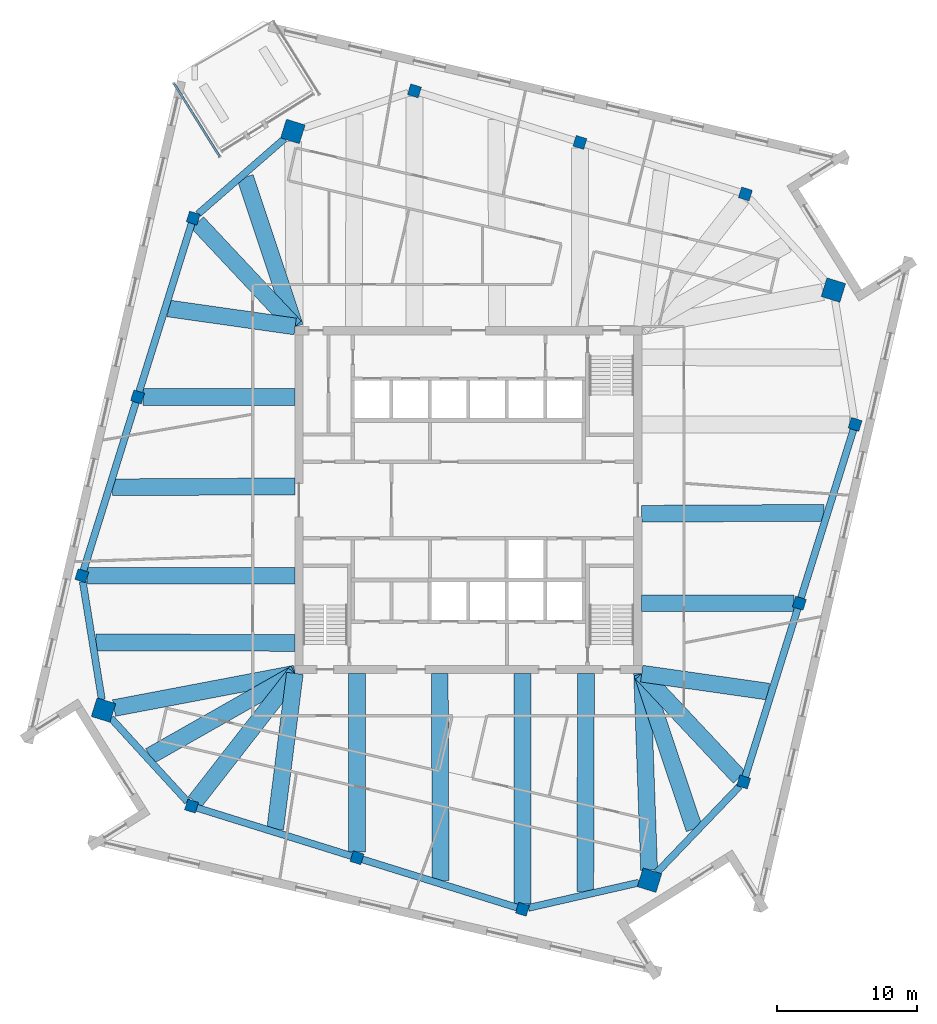
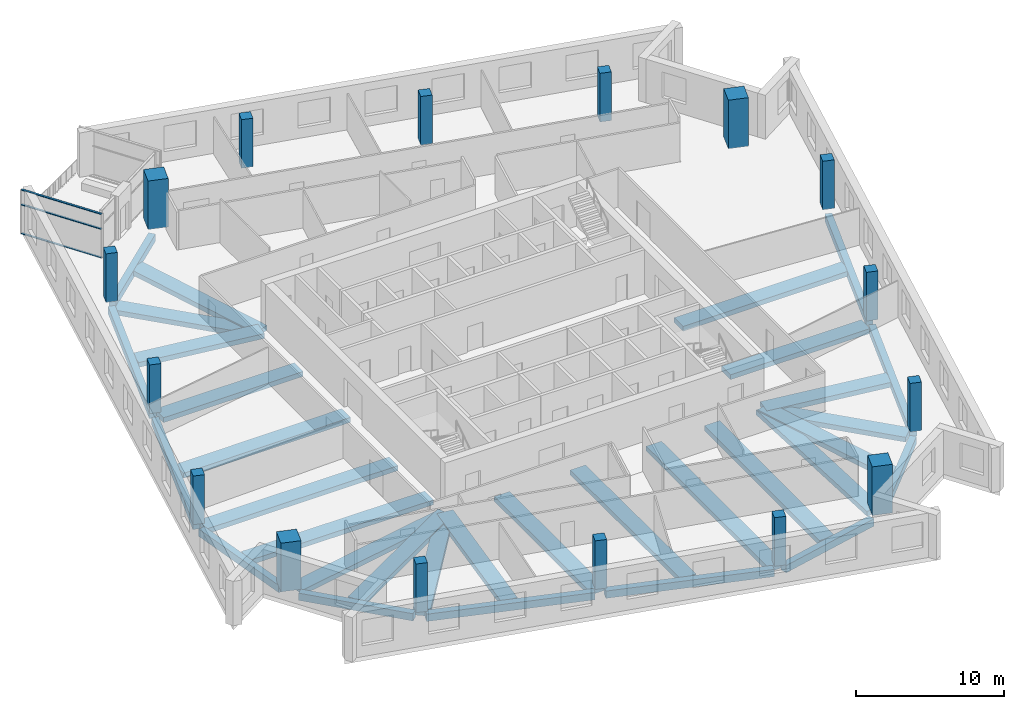
# One storey, part 1 of 14: 32 beams, 16 columns, 3 members, 1 element without a shape of its own.
"""IFC4 building model written with IfcOpenShell, lengths in metres."""

from ifc_helpers import new_model, si_unit, direction, frame, origin, origin_2d, place, context, subcontext, project, spatial, rectangle, extrude, material, material_profile, profile_set, type_object, element, aggregate, save


model = new_model("IFC4")

# Units and contexts
model_context = context("Model", 3, precision=1e-05, world=origin(), true_north=direction((0.0, 1.0)))
body_context = subcontext(model_context, "Body", "Model", "MODEL_VIEW")
ifc_project = project(units=[si_unit("LENGTHUNIT", "METRE"), si_unit("AREAUNIT", "SQUARE_METRE"), si_unit("VOLUMEUNIT", "CUBIC_METRE"), si_unit("PLANEANGLEUNIT", "RADIAN"), si_unit("MASSUNIT", "GRAM", prefix="KILO")], contexts=[model_context])

# Site, building, storey
site_placement = place(None, origin())
site = spatial("IfcSite", under=ifc_project, at=site_placement, CompositionType="ELEMENT")
building_placement = place(site_placement, origin())
building = spatial("IfcBuilding", under=site, at=building_placement, Name="Dilmun Exchange Tower", CompositionType="ELEMENT")
storey_placement = place(building_placement, frame((0.0, 0.0, 332.5)))
storey = spatial("IfcBuildingStorey", under=building, at=storey_placement, Name="L79", CompositionType="ELEMENT", Elevation=332.5)

# Columns
ifc_material_1 = material(Name="Concrete C50/60", Category="concrete")
ifc_material_profile_1 = material_profile(ifc_material_1, rectangle(XDim=1.39990234375, YDim=1.39990234375, at=origin_2d()), Name="1400 x 1400")
ifc_profile_set_1 = profile_set([ifc_material_profile_1], Name="Concrete C50/60")
column_type_1 = type_object("IfcColumnType", Name="RC mega column 1400 x 1400 C50/60", PredefinedType="COLUMN", material=ifc_profile_set_1)
for number, where, z_axis, x_axis, name in (
    (1, (-12.537109375, 26.322021484375, 0.0), (0.0, 0.0, 1.0), (0.297503182032, 0.954720826567, 0.0), "Mega column M1"),
    (2, (-26.06005859375, -14.9951171875, 0.0), (0.0, 0.0, 1.0), (0.297503182032, 0.954720826567, 0.0), "Mega column M2"),
    (3, (12.928955078125, -27.14404296875, 0.0), (0.0, 0.0, 1.0), (0.297503182032, 0.954720826567, 0.0), "Mega column M3"),
    (4, (26.06005859375, 14.9951171875, 0.0), (0.0, 0.0, 1.0), (0.297503182032, 0.954720826567, 0.0), "Mega column M4"),
):
    element("IfcColumn", number, at=place(storey_placement, frame(where, z_axis=z_axis, x_axis=x_axis)), inside=storey, type_object=column_type_1, Name=name, PredefinedType="COLUMN", context=body_context, shape_type="SweptSolid", body=[
        extrude(rectangle(XDim=1.39990234375, YDim=1.39990234375, at=origin_2d()), origin(), (0.0, 0.0, 1.0), 4.0),
    ])
ifc_material_profile_2 = material_profile(ifc_material_1, rectangle(XDim=0.800048828125, YDim=0.800048828125, at=origin_2d()), Name="800 x 800")
ifc_profile_set_2 = profile_set([ifc_material_profile_2], Name="Concrete C50/60")
column_type_2 = type_object("IfcColumnType", Name="RC ring column 800 x 800 C50/60", PredefinedType="COLUMN", material=ifc_profile_set_2)
for number, where, z_axis, x_axis, name in (
    (5, (-19.64990234375, 20.133056640625, 0.0), (0.0, 0.0, 1.0), (0.297503182032, 0.954720826567, 0.0), "Ring column R01"),
    (6, (-23.62890625, 7.363037109375, 0.0), (0.0, 0.0, 1.0), (0.297503182032, 0.954720826567, 0.0), "Ring column R02"),
    (7, (-27.60791015625, -5.406005859375, 0.0), (0.0, 0.0, 1.0), (0.297503182032, 0.954720826567, 0.0), "Ring column R03"),
    (8, (-19.77294921875, -21.85693359375, 0.0), (0.0, 0.0, 1.0), (0.297503182032, 0.954720826567, 0.0), "Ring column R04"),
    (9, (-7.9580078125, -25.5390625, 0.0), (0.0, 0.0, 1.0), (0.297503182032, 0.954720826567, 0.0), "Ring column R05"),
    (10, (3.85595703125, -29.219970703125, 0.0), (0.0, 0.0, 1.0), (0.297503182032, 0.954720826567, 0.0), "Ring column R06"),
    (11, (19.64990234375, -20.133056640625, 0.0), (0.0, 0.0, 1.0), (0.297503182032, 0.954720826567, 0.0), "Ring column R07"),
    (12, (23.62890625, -7.363037109375, 0.0), (0.0, 0.0, 1.0), (0.297503182032, 0.954720826567, 0.0), "Ring column R08"),
    (13, (27.60791015625, 5.406005859375, 0.0), (0.0, 0.0, 1.0), (0.297503182032, 0.954720826567, 0.0), "Ring column R09"),
    (14, (19.77294921875, 21.85693359375, 0.0), (0.0, 0.0, 1.0), (0.297503182032, 0.954720826567, 0.0), "Ring column R10"),
    (15, (7.9580078125, 25.5390625, 0.0), (0.0, 0.0, 1.0), (0.297503182032, 0.954720826567, 0.0), "Ring column R11"),
    (16, (-3.85595703125, 29.219970703125, 0.0), (0.0, 0.0, 1.0), (0.297503182032, 0.954720826567, 0.0), "Ring column R12"),
):
    element("IfcColumn", number, at=place(storey_placement, frame(where, z_axis=z_axis, x_axis=x_axis)), inside=storey, type_object=column_type_2, Name=name, PredefinedType="COLUMN", context=body_context, shape_type="SweptSolid", body=[
        extrude(rectangle(XDim=0.800048828125, YDim=0.800048828125, at=origin_2d()), origin(), (0.0, 0.0, 1.0), 4.0),
    ])

# Curtain wall, members
ifc_material_2 = material(Name="Anodised aluminium and clear glass", Category="aluminium")
curtain_wall_type = type_object("IfcCurtainWallType", Name="Garden corner glazing", PredefinedType="NOTDEFINED", material=ifc_material_2)
curtain_wall_placement = place(storey_placement, origin())
curtain_wall = element("IfcCurtainWall", 17, at=curtain_wall_placement, inside=storey, type_object=curtain_wall_type, Name="Garden corner glazing run GC3.1", PredefinedType="NOTDEFINED")
ifc_material_3 = material(Name="Anodised aluminium", Category="aluminium")
ifc_material_profile_3 = material_profile(ifc_material_3, rectangle(XDim=0.159912109375, YDim=0.06005859375, at=origin_2d()), Name="AL 60x160")
ifc_profile_set_3 = profile_set([ifc_material_profile_3], Name="Anodised aluminium")
member_type = type_object("IfcMemberType", Name="Garden corner glazing transom 60 x 160", PredefinedType="USERDEFINED", material=ifc_profile_set_3)
member_1_placement = place(storey_placement, frame((-17.772705078125, 24.540283203125, 0.030029296875), z_axis=(-0.529923715671, 0.848045314573, 0.0), x_axis=(-0.848045314573, -0.529923715671, 0.0)))
member_1 = element("IfcMember", 18, at=member_1_placement, type_object=member_type, Name="GC3.1 transom 1.1", ObjectType="TRANSOM", PredefinedType="USERDEFINED", context=body_context, shape_type="SweptSolid", body=[
    extrude(rectangle(XDim=0.159912109375, YDim=0.06005859375, at=origin_2d()), origin(), (0.0, 0.0, 1.0), 6.12646484375),
])
member_2_placement = place(storey_placement, frame((-17.772705078125, 24.540283203125, 2.39990234375), z_axis=(-0.529923715671, 0.848045314573, 0.0), x_axis=(-0.848045314573, -0.529923715671, 0.0)))
member_2 = element("IfcMember", 19, at=member_2_placement, type_object=member_type, Name="GC3.1 transom 1.2", ObjectType="TRANSOM", PredefinedType="USERDEFINED", context=body_context, shape_type="SweptSolid", body=[
    extrude(rectangle(XDim=0.159912109375, YDim=0.06005859375, at=origin_2d()), origin(), (0.0, 0.0, 1.0), 6.12646484375),
])
member_3_placement = place(storey_placement, frame((-17.772705078125, 24.540283203125, 3.6201171875), z_axis=(-0.529923715671, 0.848045314573, 0.0), x_axis=(-0.848045314573, -0.529923715671, 0.0)))
member_3 = element("IfcMember", 20, at=member_3_placement, type_object=member_type, Name="GC3.1 transom 1.3", ObjectType="TRANSOM", PredefinedType="USERDEFINED", context=body_context, shape_type="SweptSolid", body=[
    extrude(rectangle(XDim=0.159912109375, YDim=0.06005859375, at=origin_2d()), origin(), (0.0, 0.0, 1.0), 6.12646484375),
])
aggregate(curtain_wall, [member_1, member_2, member_3])

# Beams
ifc_material_4 = material(Name="Concrete C40/50", Category="concrete")
ifc_material_profile_4 = material_profile(ifc_material_4, rectangle(XDim=1.199951171875, YDim=0.39990234375, at=origin_2d()), Name="1200 x 400")
ifc_profile_set_4 = profile_set([ifc_material_profile_4], Name="Concrete C40/50")
beam_type_1 = type_object("IfcBeamType", Name="RC band beam 1200 x 400 C40/50", PredefinedType="BEAM", material=ifc_profile_set_4)
beam_1_placement = place(storey_placement, frame((-19.35400390625, 19.8173828125, -0.64990234375), z_axis=(0.683952281649, -0.729526748261, 0.0), x_axis=(0.729526748261, 0.683952281649, 0.0)))
element("IfcBeam", 21, at=beam_1_placement, inside=storey, type_object=beam_type_1, Name="Band beam 2", PredefinedType="BEAM", context=body_context, shape_type="SweptSolid", body=[
    extrude(rectangle(XDim=1.199951171875, YDim=0.39990234375, at=origin_2d()), origin(), (0.0, 0.0, 1.0), 10.1943359375),
])
beam_2_placement = place(storey_placement, frame((-23.237060546875, 7.363037109375, -0.64990234375), z_axis=(1.0, 0.0, 0.0), x_axis=(0.0, 1.0, 0.0)))
element("IfcBeam", 22, at=beam_2_placement, inside=storey, type_object=beam_type_1, Name="Band beam 3", PredefinedType="BEAM", context=body_context, shape_type="SweptSolid", body=[
    extrude(rectangle(XDim=1.199951171875, YDim=0.39990234375, at=origin_2d()), origin(), (0.0, 0.0, 1.0), 10.864013671875),
])
beam_3_placement = place(storey_placement, frame((-27.216064453125, -5.406005859375, -0.64990234375), z_axis=(1.0, 0.0, 0.0), x_axis=(0.0, 1.0, 0.0)))
element("IfcBeam", 23, at=beam_3_placement, inside=storey, type_object=beam_type_1, Name="Band beam 4", PredefinedType="BEAM", context=body_context, shape_type="SweptSolid", body=[
    extrude(rectangle(XDim=1.199951171875, YDim=0.39990234375, at=origin_2d()), origin(), (0.0, 0.0, 1.0), 14.843017578125),
])
beam_4_placement = place(storey_placement, frame((-25.30712890625, -14.85205078125, -0.64990234375), z_axis=(0.982429348436, 0.18663487169, 0.0), x_axis=(-0.18663487169, 0.982429348436, 0.0)))
element("IfcBeam", 24, at=beam_4_placement, inside=storey, type_object=beam_type_1, Name="Band beam 5", PredefinedType="BEAM", context=body_context, shape_type="SweptSolid", body=[
    extrude(rectangle(XDim=1.199951171875, YDim=0.39990234375, at=origin_2d()), origin(), (0.0, 0.0, 1.0), 13.164794921875),
])
beam_5_placement = place(storey_placement, frame((-19.52685546875, -21.541259765625, -0.64990234375), z_axis=(0.614856714099, 0.788638840743, 0.0), x_axis=(-0.788638840743, 0.614856714099, 0.0)))
element("IfcBeam", 25, at=beam_5_placement, inside=storey, type_object=beam_type_1, Name="Band beam 6", PredefinedType="BEAM", context=body_context, shape_type="SweptSolid", body=[
    extrude(rectangle(XDim=1.199951171875, YDim=0.39990234375, at=origin_2d()), origin(), (0.0, 0.0, 1.0), 11.6181640625),
])
beam_6_placement = place(storey_placement, frame((-7.9580078125, -25.14697265625, -0.64990234375), z_axis=(0.0, 1.0, 0.0), x_axis=(-1.0, 0.0, 0.0)))
element("IfcBeam", 26, at=beam_6_placement, inside=storey, type_object=beam_type_1, Name="Band beam 7", PredefinedType="BEAM", context=body_context, shape_type="SweptSolid", body=[
    extrude(rectangle(XDim=1.199951171875, YDim=0.39990234375, at=origin_2d()), origin(), (0.0, 0.0, 1.0), 12.77392578125),
])
beam_7_placement = place(storey_placement, frame((3.85595703125, -28.827880859375, -0.64990234375), z_axis=(0.0, 1.0, 0.0), x_axis=(-1.0, 0.0, 0.0)))
element("IfcBeam", 27, at=beam_7_placement, inside=storey, type_object=beam_type_1, Name="Band beam 8", PredefinedType="BEAM", context=body_context, shape_type="SweptSolid", body=[
    extrude(rectangle(XDim=1.199951171875, YDim=0.39990234375, at=origin_2d()), origin(), (0.0, 0.0, 1.0), 16.454833984375),
])
beam_8_placement = place(storey_placement, frame((12.9033203125, -26.429443359375, -0.64990234375), z_axis=(-0.035860549827, 0.999356803632, 0.0), x_axis=(-0.999356803632, -0.035860549827, 0.0)))
element("IfcBeam", 28, at=beam_8_placement, inside=storey, type_object=beam_type_1, Name="Band beam 9", PredefinedType="BEAM", context=body_context, shape_type="SweptSolid", body=[
    extrude(rectangle(XDim=1.199951171875, YDim=0.39990234375, at=origin_2d()), origin(), (0.0, 0.0, 1.0), 14.0654296875),
])
beam_9_placement = place(storey_placement, frame((19.35400390625, -19.8173828125, -0.64990234375), z_axis=(-0.683952281649, 0.729526748261, 0.0), x_axis=(-0.729526748261, -0.683952281649, 0.0)))
element("IfcBeam", 29, at=beam_9_placement, inside=storey, type_object=beam_type_1, Name="Band beam 10", PredefinedType="BEAM", context=body_context, shape_type="SweptSolid", body=[
    extrude(rectangle(XDim=1.199951171875, YDim=0.39990234375, at=origin_2d()), origin(), (0.0, 0.0, 1.0), 10.1943359375),
])
beam_10_placement = place(storey_placement, frame((23.237060546875, -7.363037109375, -0.64990234375), z_axis=(-1.0, 0.0, 0.0), x_axis=(0.0, -1.0, 0.0)))
element("IfcBeam", 30, at=beam_10_placement, inside=storey, type_object=beam_type_1, Name="Band beam 11", PredefinedType="BEAM", context=body_context, shape_type="SweptSolid", body=[
    extrude(rectangle(XDim=1.199951171875, YDim=0.39990234375, at=origin_2d()), origin(), (0.0, 0.0, 1.0), 10.864013671875),
])
beam_11_placement = place(storey_placement, frame((-15.947021484375, 23.059326171875, -0.550048828125), z_axis=(0.315752926282, -0.948841445946, 0.0), x_axis=(0.948841445946, 0.315752926282, 0.0)))
element("IfcBeam", 31, at=beam_11_placement, inside=storey, type_object=beam_type_1, Name="Band beam 17", PredefinedType="BEAM", context=body_context, shape_type="SweptSolid", body=[
    extrude(rectangle(XDim=1.199951171875, YDim=0.39990234375, at=origin_2d()), origin(), (0.0, 0.0, 1.0), 11.260986328125),
])
beam_12_placement = place(storey_placement, frame((-21.426513671875, 13.681640625, -0.550048828125), z_axis=(0.990066629404, -0.140598966357, 0.0), x_axis=(0.140598966357, 0.990066629404, 0.0)))
element("IfcBeam", 32, at=beam_12_placement, inside=storey, type_object=beam_type_1, Name="Band beam 18", PredefinedType="BEAM", context=body_context, shape_type="SweptSolid", body=[
    extrude(rectangle(XDim=1.199951171875, YDim=0.39990234375, at=origin_2d()), origin(), (0.0, 0.0, 1.0), 9.14404296875),
])
beam_13_placement = place(storey_placement, frame((-25.405517578125, 0.912109375, -0.550048828125), z_axis=(0.999987018468, 0.005095379798, 0.0), x_axis=(-0.005095379798, 0.999987018468, 0.0)))
element("IfcBeam", 33, at=beam_13_placement, inside=storey, type_object=beam_type_1, Name="Band beam 19", PredefinedType="BEAM", context=body_context, shape_type="SweptSolid", body=[
    extrude(rectangle(XDim=1.199951171875, YDim=0.39990234375, at=origin_2d()), origin(), (0.0, 0.0, 1.0), 13.03271484375),
])
beam_14_placement = place(storey_placement, frame((-26.614013671875, -10.1650390625, -0.550048828125), z_axis=(0.999996910379, -0.002485806038, 0.0), x_axis=(0.002485806038, 0.999996910379, 0.0)))
element("IfcBeam", 34, at=beam_14_placement, inside=storey, type_object=beam_type_1, Name="Band beam 20", PredefinedType="BEAM", context=body_context, shape_type="SweptSolid", body=[
    extrude(rectangle(XDim=1.199951171875, YDim=0.39990234375, at=origin_2d()), origin(), (0.0, 0.0, 1.0), 14.240966796875),
])
beam_15_placement = place(storey_placement, frame((-22.752197265625, -18.275390625, -0.550048828125), z_axis=(0.869690188955, 0.493597989496, 0.0), x_axis=(-0.493597989496, 0.869690188955, 0.0)))
element("IfcBeam", 35, at=beam_15_placement, inside=storey, type_object=beam_type_1, Name="Band beam 21", PredefinedType="BEAM", context=body_context, shape_type="SweptSolid", body=[
    extrude(rectangle(XDim=1.199951171875, YDim=0.39990234375, at=origin_2d()), origin(), (0.0, 0.0, 1.0), 11.93017578125),
])
beam_16_placement = place(storey_placement, frame((-13.79931640625, -23.485107421875, -0.550048828125), z_axis=(0.125252659456, 0.992124876867, 0.0), x_axis=(-0.992124876867, 0.125252659456, 0.0)))
element("IfcBeam", 36, at=beam_16_placement, inside=storey, type_object=beam_type_1, Name="Band beam 22", PredefinedType="BEAM", context=body_context, shape_type="SweptSolid", body=[
    extrude(rectangle(XDim=1.199951171875, YDim=0.39990234375, at=origin_2d()), origin(), (0.0, 0.0, 1.0), 11.199951171875),
])
beam_17_placement = place(storey_placement, frame((-1.984619140625, -27.16650390625, -0.550048828125), z_axis=(-0.004488848064, 0.999989925071, 0.0), x_axis=(-0.999989925071, -0.004488848064, 0.0)))
element("IfcBeam", 37, at=beam_17_placement, inside=storey, type_object=beam_type_1, Name="Band beam 23", PredefinedType="BEAM", context=body_context, shape_type="SweptSolid", body=[
    extrude(rectangle(XDim=1.199951171875, YDim=0.39990234375, at=origin_2d()), origin(), (0.0, 0.0, 1.0), 14.793701171875),
])
beam_18_placement = place(storey_placement, frame((8.3427734375, -27.964599609375, -0.550048828125), z_axis=(0.003194321582, 0.999994898142, 0.0), x_axis=(-0.999994898142, 0.003194321582, 0.0)))
element("IfcBeam", 38, at=beam_18_placement, inside=storey, type_object=beam_type_1, Name="Band beam 24", PredefinedType="BEAM", context=body_context, shape_type="SweptSolid", body=[
    extrude(rectangle(XDim=1.199951171875, YDim=0.39990234375, at=origin_2d()), origin(), (0.0, 0.0, 1.0), 15.591552734375),
])
beam_19_placement = place(storey_placement, frame((16.12841796875, -23.484130859375, -0.550048828125), z_axis=(-0.318844720982, 0.947806965527, 0.0), x_axis=(-0.947806965527, -0.318844720982, 0.0)))
element("IfcBeam", 39, at=beam_19_placement, inside=storey, type_object=beam_type_1, Name="Band beam 25", PredefinedType="BEAM", context=body_context, shape_type="SweptSolid", body=[
    extrude(rectangle(XDim=1.199951171875, YDim=0.39990234375, at=origin_2d()), origin(), (0.0, 0.0, 1.0), 11.721435546875),
])
beam_20_placement = place(storey_placement, frame((21.426513671875, -13.681640625, -0.550048828125), z_axis=(-0.990066629404, 0.140598966357, 0.0), x_axis=(-0.140598966357, -0.990066629404, 0.0)))
element("IfcBeam", 40, at=beam_20_placement, inside=storey, type_object=beam_type_1, Name="Band beam 26", PredefinedType="BEAM", context=body_context, shape_type="SweptSolid", body=[
    extrude(rectangle(XDim=1.199951171875, YDim=0.39990234375, at=origin_2d()), origin(), (0.0, 0.0, 1.0), 9.14404296875),
])
beam_21_placement = place(storey_placement, frame((25.405517578125, -0.912109375, -0.550048828125), z_axis=(-0.999987018468, -0.005095379798, 0.0), x_axis=(0.005095379798, -0.999987018468, 0.0)))
element("IfcBeam", 41, at=beam_21_placement, inside=storey, type_object=beam_type_1, Name="Band beam 27", PredefinedType="BEAM", context=body_context, shape_type="SweptSolid", body=[
    extrude(rectangle(XDim=1.199951171875, YDim=0.39990234375, at=origin_2d()), origin(), (0.0, 0.0, 1.0), 13.03271484375),
])
ifc_material_profile_5 = material_profile(ifc_material_4, rectangle(XDim=0.5, YDim=0.60009765625, at=origin_2d()), Name="500 x 600")
ifc_profile_set_5 = profile_set([ifc_material_profile_5], Name="Concrete C40/50")
beam_type_2 = type_object("IfcBeamType", Name="RC ring beam 500 x 600 C40/50", PredefinedType="SPANDREL", material=ifc_profile_set_5)
beam_22_placement = place(storey_placement, frame((-13.13720703125, 25.7998046875, -0.64990234375), z_axis=(-0.754412964807, -0.656400090289, 0.0), x_axis=(0.656400090289, -0.754412964807, 0.0)))
element("IfcBeam", 42, at=beam_22_placement, inside=storey, type_object=beam_type_2, Name="Ring beam 1", PredefinedType="SPANDREL", context=body_context, shape_type="SweptSolid", body=[
    extrude(rectangle(XDim=0.5, YDim=0.60009765625, at=origin_2d()), origin(), (0.0, 0.0, 1.0), 8.190185546875),
])
beam_23_placement = place(storey_placement, frame((-19.760986328125, 19.77685546875, -0.64990234375), z_axis=(-0.297481296371, -0.954727646143, 0.0), x_axis=(0.954727646143, -0.297481296371, 0.0)))
element("IfcBeam", 43, at=beam_23_placement, inside=storey, type_object=beam_type_2, Name="Ring beam 2", PredefinedType="SPANDREL", context=body_context, shape_type="SweptSolid", body=[
    extrude(rectangle(XDim=0.5, YDim=0.60009765625, at=origin_2d()), origin(), (0.0, 0.0, 1.0), 12.629638671875),
])
beam_24_placement = place(storey_placement, frame((-23.739990234375, 7.0068359375, -0.64990234375), z_axis=(-0.297508749799, -0.954719091562, 0.0), x_axis=(0.954719091562, -0.297508749799, 0.0)))
element("IfcBeam", 44, at=beam_24_placement, inside=storey, type_object=beam_type_2, Name="Ring beam 3", PredefinedType="SPANDREL", context=body_context, shape_type="SweptSolid", body=[
    extrude(rectangle(XDim=0.5, YDim=0.60009765625, at=origin_2d()), origin(), (0.0, 0.0, 1.0), 12.62841796875),
])
beam_25_placement = place(storey_placement, frame((-27.541015625, -5.820556640625, -0.64990234375), z_axis=(0.159356501233, -0.987221102649, 0.0), x_axis=(0.987221102649, 0.159356501233, 0.0)))
element("IfcBeam", 45, at=beam_25_placement, inside=storey, type_object=beam_type_2, Name="Ring beam 4", PredefinedType="SPANDREL", context=body_context, shape_type="SweptSolid", body=[
    extrude(rectangle(XDim=0.5, YDim=0.60009765625, at=origin_2d()), origin(), (0.0, 0.0, 1.0), 8.5380859375),
])
beam_26_placement = place(storey_placement, frame((-25.531005859375, -15.572265625, -0.64990234375), z_axis=(0.675535971399, -0.737327031476, 0.0), x_axis=(0.737327031476, 0.675535971399, 0.0)))
element("IfcBeam", 46, at=beam_26_placement, inside=storey, type_object=beam_type_2, Name="Ring beam 5", PredefinedType="SPANDREL", context=body_context, shape_type="SweptSolid", body=[
    extrude(rectangle(XDim=0.5, YDim=0.60009765625, at=origin_2d()), origin(), (0.0, 0.0, 1.0), 8.087890625),
])
beam_27_placement = place(storey_placement, frame((-19.4169921875, -21.968017578125, -0.64990234375), z_axis=(0.95471613385, -0.297518241065, 0.0), x_axis=(0.297518241065, 0.95471613385, 0.0)))
element("IfcBeam", 47, at=beam_27_placement, inside=storey, type_object=beam_type_2, Name="Ring beam 6", PredefinedType="SPANDREL", context=body_context, shape_type="SweptSolid", body=[
    extrude(rectangle(XDim=0.5, YDim=0.60009765625, at=origin_2d()), origin(), (0.0, 0.0, 1.0), 11.62939453125),
])
beam_28_placement = place(storey_placement, frame((-7.601806640625, -25.64990234375, -0.64990234375), z_axis=(0.954732553331, -0.297465546931, 0.0), x_axis=(0.297465546931, 0.954732553331, 0.0)))
element("IfcBeam", 48, at=beam_28_placement, inside=storey, type_object=beam_type_2, Name="Ring beam 7", PredefinedType="SPANDREL", context=body_context, shape_type="SweptSolid", body=[
    extrude(rectangle(XDim=0.5, YDim=0.60009765625, at=origin_2d()), origin(), (0.0, 0.0, 1.0), 11.628173828125),
])
beam_29_placement = place(storey_placement, frame((4.28076171875, -29.122802734375, -0.64990234375), z_axis=(0.974807153913, 0.223049350324, 0.0), x_axis=(-0.223049350324, 0.974807153913, 0.0)))
element("IfcBeam", 49, at=beam_29_placement, inside=storey, type_object=beam_type_2, Name="Ring beam 8", PredefinedType="SPANDREL", context=body_context, shape_type="SweptSolid", body=[
    extrude(rectangle(XDim=0.5, YDim=0.60009765625, at=origin_2d()), origin(), (0.0, 0.0, 1.0), 8.0888671875),
])
beam_30_placement = place(storey_placement, frame((13.451416015625, -26.598876953125, -0.64990234375), z_axis=(0.692021502551, 0.721876887016, 0.0), x_axis=(-0.721876887016, 0.692021502551, 0.0)))
element("IfcBeam", 50, at=beam_30_placement, inside=storey, type_object=beam_type_2, Name="Ring beam 9", PredefinedType="SPANDREL", context=body_context, shape_type="SweptSolid", body=[
    extrude(rectangle(XDim=0.5, YDim=0.60009765625, at=origin_2d()), origin(), (0.0, 0.0, 1.0), 8.537353515625),
])
beam_31_placement = place(storey_placement, frame((19.760986328125, -19.77685546875, -0.64990234375), z_axis=(0.297481296371, 0.954727646143, 0.0), x_axis=(-0.954727646143, 0.297481296371, 0.0)))
element("IfcBeam", 51, at=beam_31_placement, inside=storey, type_object=beam_type_2, Name="Ring beam 10", PredefinedType="SPANDREL", context=body_context, shape_type="SweptSolid", body=[
    extrude(rectangle(XDim=0.5, YDim=0.60009765625, at=origin_2d()), origin(), (0.0, 0.0, 1.0), 12.629638671875),
])
beam_32_placement = place(storey_placement, frame((23.739990234375, -7.0068359375, -0.64990234375), z_axis=(0.297508749799, 0.954719091562, 0.0), x_axis=(-0.954719091562, 0.297508749799, 0.0)))
element("IfcBeam", 52, at=beam_32_placement, inside=storey, type_object=beam_type_2, Name="Ring beam 11", PredefinedType="SPANDREL", context=body_context, shape_type="SweptSolid", body=[
    extrude(rectangle(XDim=0.5, YDim=0.60009765625, at=origin_2d()), origin(), (0.0, 0.0, 1.0), 12.62841796875),
])

save(model, "model.ifc")
